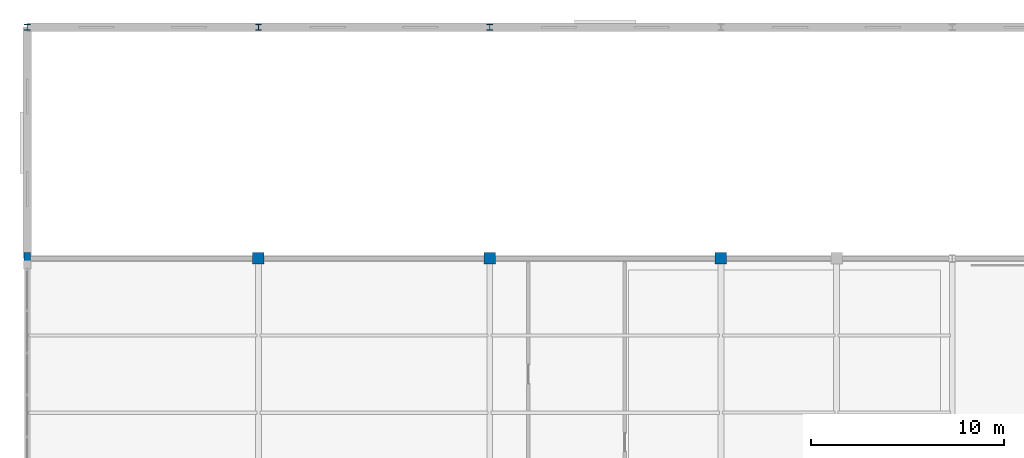
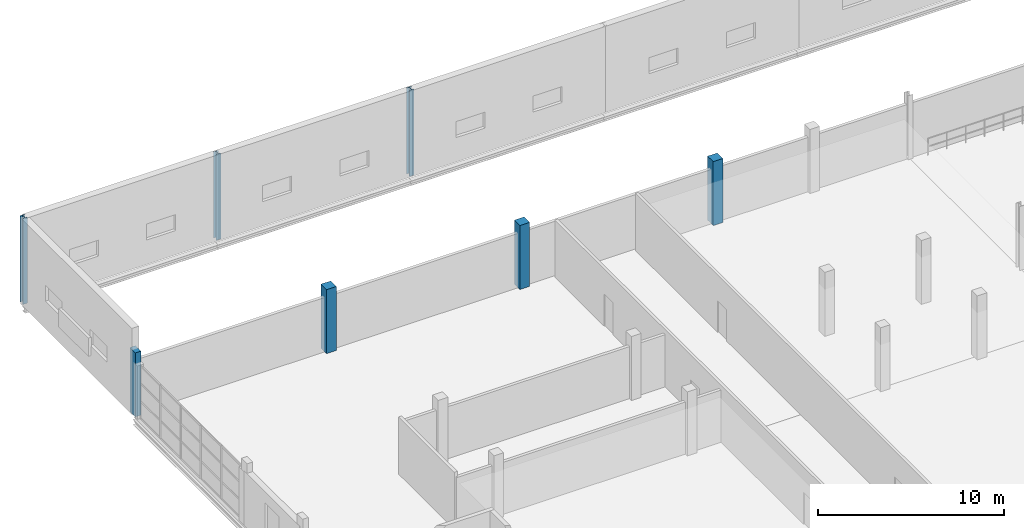
# One storey, part 20 of 147: 7 columns.
"""IFC4 building model written with IfcOpenShell, lengths in metres."""

from ifc_helpers import new_model, si_unit, direction, frame, origin, origin_2d, place, context, subcontext, project, spatial, rectangle, i_section, extrude, material, material_profile, profile_set, type_object, element, save


model = new_model("IFC4")

# Units and contexts
model_context = context("Model", 3, precision=1e-05, world=origin(), true_north=direction((0.0, 1.0)))
body_context = subcontext(model_context, "Body", "Model", "MODEL_VIEW")
ifc_project = project(units=[si_unit("LENGTHUNIT", "METRE"), si_unit("AREAUNIT", "SQUARE_METRE"), si_unit("VOLUMEUNIT", "CUBIC_METRE"), si_unit("PLANEANGLEUNIT", "RADIAN"), si_unit("MASSUNIT", "GRAM", prefix="KILO")], contexts=[model_context])

# Site, building, storey
site_placement = place(None, origin())
site = spatial("IfcSite", under=ifc_project, at=site_placement, CompositionType="ELEMENT")
building_placement = place(site_placement, origin())
building = spatial("IfcBuilding", under=site, at=building_placement, Name="Zilviju Railside Exhibition Hall", CompositionType="ELEMENT")
storey_placement = place(building_placement, frame((0.0, 0.0, 8.39990234375)))
storey = spatial("IfcBuildingStorey", under=building, at=storey_placement, Name="L03", CompositionType="ELEMENT", Elevation=8.39990234375)

# Columns
ifc_material_1 = material(Name="Concrete C35/45", Category="concrete")
ifc_material_profile_1 = material_profile(ifc_material_1, rectangle(XDim=0.60009765625, YDim=0.60009765625, at=origin_2d()), Name="RC COL 600x600")
ifc_profile_set_1 = profile_set([ifc_material_profile_1], Name="Concrete C35/45")
column_type_1 = type_object("IfcColumnType", Name="COL-RC-600", PredefinedType="COLUMN", material=ifc_profile_set_1)
for number, where, z_axis, x_axis, name in (
    (1, (12.0, 138.0, 0.0), (0.0, 0.0, 1.0), (1.0, 0.0, 0.0), "Structural Column L03 (12.0, 138.0)"),
    (2, (24.0, 138.0, 0.0), (0.0, 0.0, 1.0), (1.0, 0.0, 0.0), "Structural Column L03 (24.0, 138.0)"),
    (3, (36.0, 138.0, 0.0), (0.0, 0.0, 1.0), (1.0, 0.0, 0.0), "Structural Column L03 (36.0, 138.0)"),
):
    element("IfcColumn", number, at=place(storey_placement, frame(where, z_axis=z_axis, x_axis=x_axis)), inside=storey, type_object=column_type_1, Name=name, PredefinedType="COLUMN", context=body_context, shape_type="SweptSolid", body=[
        extrude(rectangle(XDim=0.60009765625, YDim=0.60009765625, at=origin_2d()), origin(), (0.0, 0.0, 1.0), 4.2001953125),
    ])
ifc_material_2 = material(Name="Steel S355J2", Category="steel")
ifc_material_profile_2 = material_profile(ifc_material_2, i_section(OverallWidth=0.300048828125, OverallDepth=0.300048828125, WebThickness=0.010986328125, FlangeThickness=0.01904296875, at=origin_2d()), Name="HEB 300")
ifc_profile_set_2 = profile_set([ifc_material_profile_2], Name="Steel S355J2")
column_type_2 = type_object("IfcColumnType", Name="COL-ST-HEB300", PredefinedType="COLUMN", material=ifc_profile_set_2)
for number, where, z_axis, x_axis, name in (
    (4, (0.0, 150.0, 0.0), (0.0, 0.0, 1.0), (1.0, 0.0, 0.0), "Structural Column L03 (0.0, 150.0)"),
    (5, (12.0, 150.0, 0.0), (0.0, 0.0, 1.0), (1.0, 0.0, 0.0), "Structural Column L03 (12.0, 150.0)"),
    (6, (24.0, 150.0, 0.0), (0.0, 0.0, 1.0), (1.0, 0.0, 0.0), "Structural Column L03 (24.0, 150.0)"),
):
    element("IfcColumn", number, at=place(storey_placement, frame(where, z_axis=z_axis, x_axis=x_axis)), inside=storey, type_object=column_type_2, Name=name, PredefinedType="COLUMN", context=body_context, shape_type="SweptSolid", body=[
        extrude(i_section(OverallWidth=0.300048828125, OverallDepth=0.300048828125, WebThickness=0.010986328125, FlangeThickness=0.01904296875, at=origin_2d()), origin(), (0.0, 0.0, 1.0), 5.650146484375),
    ])
ifc_material_profile_3 = material_profile(ifc_material_1, rectangle(XDim=0.35009765625, YDim=0.60009765625, at=origin_2d()), Name="RC COL 350x600")
ifc_profile_set_3 = profile_set([ifc_material_profile_3], Name="Concrete C35/45")
column_type_3 = type_object("IfcColumnType", Name="PIL-RC-600x350", PredefinedType="PILASTER", material=ifc_profile_set_3)
column_placement = place(storey_placement, frame((0.0, 138.0, 0.0), z_axis=(0.0, 0.0, 1.0), x_axis=(1.0, 0.0, 0.0)))
element("IfcColumn", 7, at=column_placement, inside=storey, type_object=column_type_3, Name="Structural Column L03 (0.0, 138.0)", PredefinedType="PILASTER", context=body_context, shape_type="SweptSolid", body=[
    extrude(rectangle(XDim=0.35009765625, YDim=0.60009765625, at=origin_2d()), origin(), (0.0, 0.0, 1.0), 4.2001953125),
])

save(model, "model.ifc")
